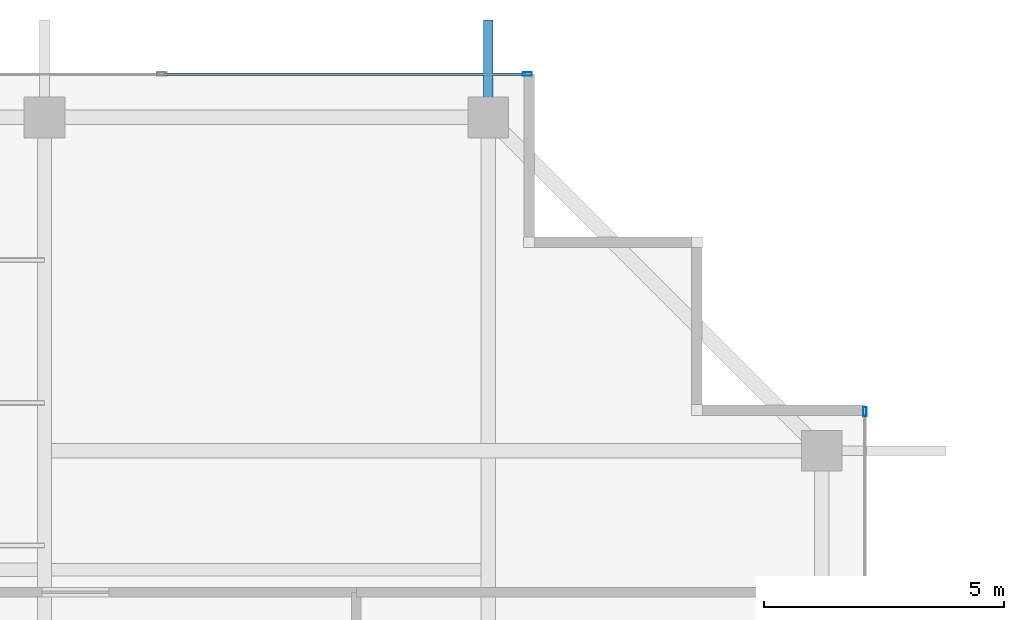
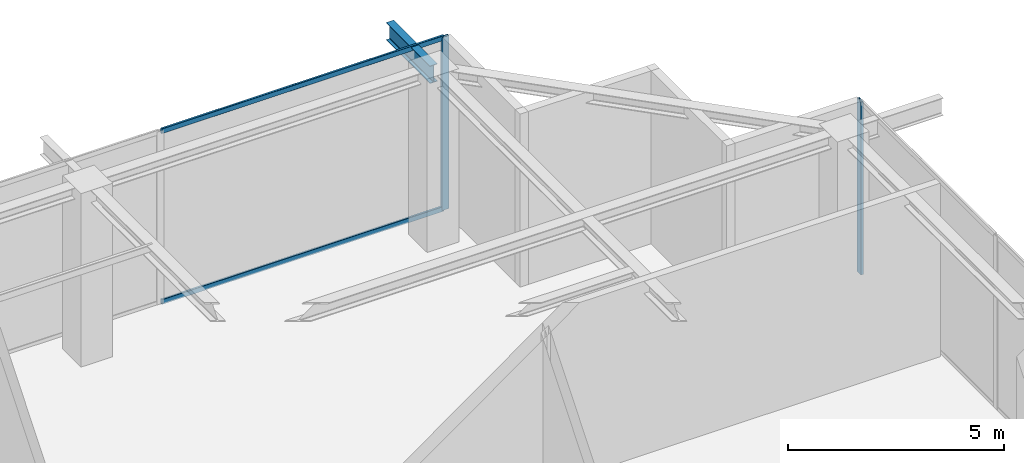
# One storey, part 23 of 27: 4 members, 1 beam, 2 elements without a shape of their own.
"""IFC4 building model written with IfcOpenShell, lengths in metres."""

from ifc_helpers import new_model, si_unit, direction, frame, origin, origin_2d, place, context, subcontext, project, spatial, hollow_rectangle, i_section, extrude, source, transform, mapped, material, layer, layer_set, material_profile, profile_set, type_object, element, aggregate, save


model = new_model("IFC4")

# Units and contexts
model_context = context("Model", 3, precision=1e-05, world=origin(), true_north=direction((0.0, 1.0)))
body_context = subcontext(model_context, "Body", "Model", "MODEL_VIEW")
ifc_project = project(units=[si_unit("LENGTHUNIT", "METRE"), si_unit("AREAUNIT", "SQUARE_METRE"), si_unit("VOLUMEUNIT", "CUBIC_METRE"), si_unit("PLANEANGLEUNIT", "RADIAN"), si_unit("MASSUNIT", "GRAM", prefix="KILO")], contexts=[model_context])

# Site, building, storey
site_placement = place(None, origin())
site = spatial("IfcSite", under=ifc_project, at=site_placement, CompositionType="ELEMENT")
building_placement = place(site_placement, origin())
building = spatial("IfcBuilding", under=site, at=building_placement, Name="Serunith Strait Residences", CompositionType="ELEMENT")
storey_placement = place(building_placement, frame((0.0, 0.0, 365.75)))
storey = spatial("IfcBuildingStorey", under=building, at=storey_placement, Name="L89", CompositionType="ELEMENT", Elevation=365.75)

# Beam
ifc_material_1 = material(Name="Steel S355J2", Category="steel")
ifc_material_profile_1 = material_profile(ifc_material_1, i_section(OverallWidth=0.199951171875, OverallDepth=0.5, WebThickness=0.01025390625, FlangeThickness=0.01611328125, FilletRadius=0.02099609375, at=origin_2d()), Name="IPE 500")
ifc_profile_set_1 = profile_set([ifc_material_profile_1], Name="Steel S355J2")
beam_type = type_object("IfcBeamType", Name="BM-IPE500", PredefinedType="JOIST", material=ifc_profile_set_1)
shared_shape_1 = source(origin(), body_context, "Body", "SweptSolid", [
    extrude(i_section(OverallWidth=0.199951171875, OverallDepth=0.5, WebThickness=0.01025390625, FlangeThickness=0.01611328125, FilletRadius=0.02099609375, at=origin_2d()), origin(), (0.0, 0.0, 1.0), 2.030029296875),
])
beam_placement = place(storey_placement, frame((46.14990234375, 45.5, 4.64697265625), z_axis=(0.0, 1.0, 0.0), x_axis=(-1.0, 0.0, 0.0)))
element("IfcBeam", 1, at=beam_placement, inside=storey, type_object=beam_type, Name="Crown Canopy Cantilever Rafter TC-N4", PredefinedType="JOIST", context=body_context, shape_type="MappedRepresentation", body=[
    mapped(shared_shape_1, transform((0.0, 0.0, 0.0), scale=1.0)),
])

# Curtain wall, member
ifc_material_2 = material(Name="Pale-Silver Anodised Aluminium", Category="aluminium")
ifc_layer = layer(ifc_material_2, 0.199951171875, Name="Pale-Silver Anodised Aluminium")
ifc_layer_set = layer_set([ifc_layer], Name="Pale-Silver Anodised Aluminium")
curtain_wall_type = type_object("IfcCurtainWallType", Name="CW-SYS7", PredefinedType="NOTDEFINED", material=ifc_layer_set)
curtain_wall_1_placement = place(storey_placement, origin())
curtain_wall_1 = element("IfcCurtainWall", 2, at=curtain_wall_1_placement, inside=storey, type_object=curtain_wall_type, Name="L89 E Unitised Fritted Curtain Wall", PredefinedType="NOTDEFINED")
ifc_material_profile_2 = material_profile(ifc_material_2, hollow_rectangle(XDim=0.072021484375, YDim=0.195068359375, WallThickness=0.00390625, InnerFilletRadius=0.006103515625, OuterFilletRadius=0.010009765625, at=origin_2d()), Name="ALU 195x72x4")
ifc_profile_set_2 = profile_set([ifc_material_profile_2], Name="Pale-Silver Anodised Aluminium")
member_type_1 = type_object("IfcMemberType", Name="CW-SYS7-MULL", PredefinedType="MULLION", material=ifc_profile_set_2)
shared_shape_2 = source(origin(), body_context, "Body", "SweptSolid", [
    extrude(hollow_rectangle(XDim=0.072021484375, YDim=0.195068359375, WallThickness=0.00390625, InnerFilletRadius=0.006103515625, OuterFilletRadius=0.010009765625, at=origin_2d()), origin(), (0.0, 0.0, 1.0), 4.885009765625),
])
member_1_placement = place(storey_placement, frame((54.0, 39.364013671875, 0.0), z_axis=(0.0, 0.0, 1.0), x_axis=(-1.0, 0.0, 0.0)))
member_1 = element("IfcMember", 3, at=member_1_placement, type_object=member_type_1, Name="CW-7 mullion 3", PredefinedType="MULLION", context=body_context, shape_type="MappedRepresentation", body=[
    mapped(shared_shape_2, transform((0.0, 0.0, 0.0), scale=1.0)),
])
aggregate(curtain_wall_1, [member_1])

# Curtain wall, members
curtain_wall_2_placement = place(storey_placement, origin())
curtain_wall_2 = element("IfcCurtainWall", 4, at=curtain_wall_2_placement, inside=storey, type_object=curtain_wall_type, Name="L89 N Unitised Fritted Curtain Wall", PredefinedType="NOTDEFINED")
member_2_placement = place(storey_placement, frame((46.964111328125, 46.39990234375, 0.0), z_axis=(0.0, 0.0, 1.0), x_axis=(0.0, -1.0, 0.0)))
member_2 = element("IfcMember", 5, at=member_2_placement, type_object=member_type_1, Name="CW-7 mullion 1", PredefinedType="MULLION", context=body_context, shape_type="MappedRepresentation", body=[
    mapped(shared_shape_2, transform((0.0, 0.0, 0.0), scale=1.0)),
])
ifc_material_profile_3 = material_profile(ifc_material_2, hollow_rectangle(XDim=0.06005859375, YDim=0.139892578125, WallThickness=0.00341796875, InnerFilletRadius=0.00537109375, OuterFilletRadius=0.0087890625, at=origin_2d()), Name="ALU 140x60x3.5")
ifc_profile_set_3 = profile_set([ifc_material_profile_3], Name="Pale-Silver Anodised Aluminium")
member_type_2 = type_object("IfcMemberType", Name="CW-SYS7-TRAN", PredefinedType="USERDEFINED", material=ifc_profile_set_3)
shared_shape_3 = source(origin(), body_context, "Body", "SweptSolid", [
    extrude(hollow_rectangle(XDim=0.06005859375, YDim=0.139892578125, WallThickness=0.00341796875, InnerFilletRadius=0.00537109375, OuterFilletRadius=0.0087890625, at=origin_2d()), origin(), (0.0, 0.0, 1.0), 7.5419921875),
])
member_3_placement = place(storey_placement, frame((46.927978515625, 46.39990234375, 0.030029296875), z_axis=(-1.0, 0.0, 0.0), x_axis=(0.0, -1.0, 0.0)))
member_3 = element("IfcMember", 6, at=member_3_placement, type_object=member_type_2, Name="CW-7 transom 1.1", ObjectType="TRANSOM", PredefinedType="USERDEFINED", context=body_context, shape_type="MappedRepresentation", body=[
    mapped(shared_shape_3, transform((0.0, 0.0, 0.0), scale=1.0)),
])
member_4_placement = place(storey_placement, frame((46.927978515625, 46.39990234375, 4.85498046875), z_axis=(-1.0, 0.0, 0.0), x_axis=(0.0, -1.0, 0.0)))
member_4 = element("IfcMember", 7, at=member_4_placement, type_object=member_type_2, Name="CW-7 transom 1.2", ObjectType="TRANSOM", PredefinedType="USERDEFINED", context=body_context, shape_type="MappedRepresentation", body=[
    mapped(shared_shape_3, transform((0.0, 0.0, 0.0), scale=1.0)),
])
aggregate(curtain_wall_2, [member_2, member_3, member_4])

save(model, "model.ifc")
